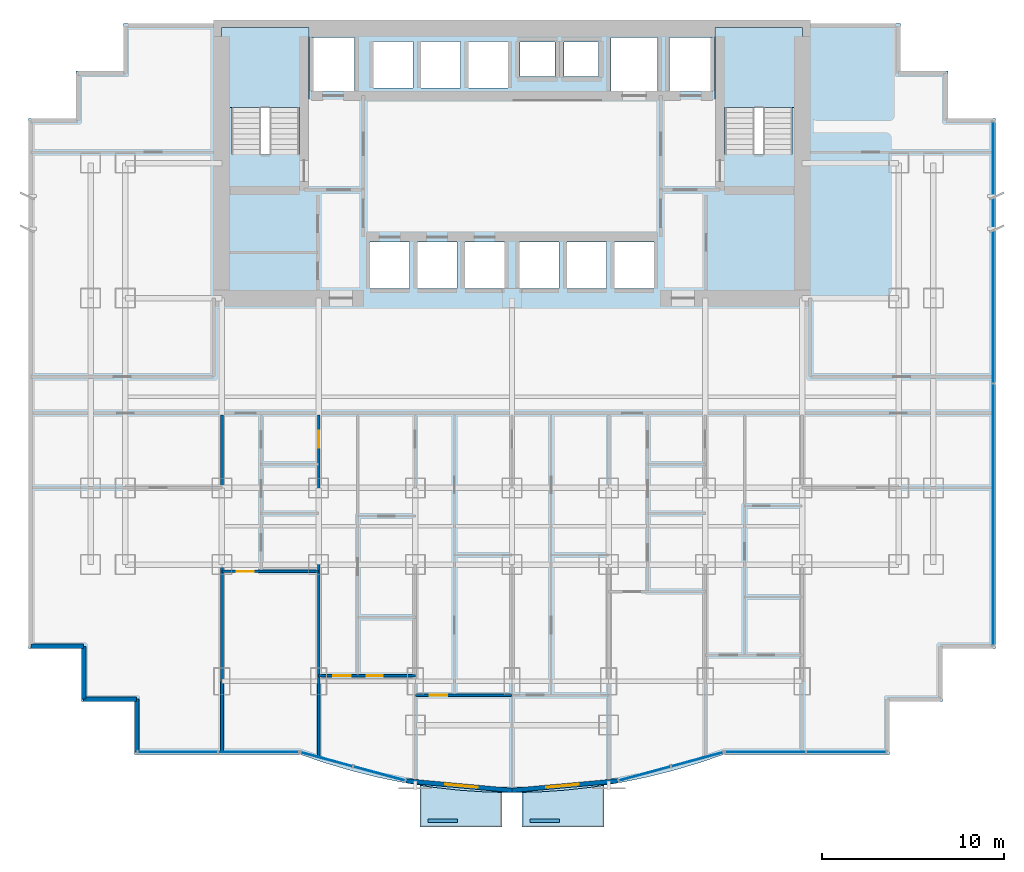
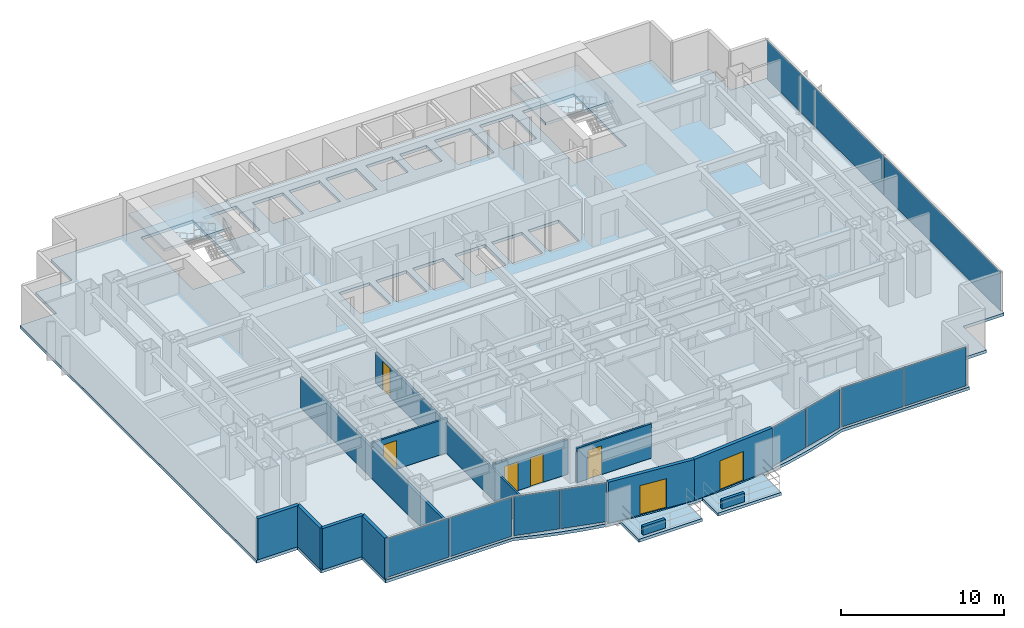
# One storey, part 6 of 12: 13 walls, 10 plates, 7 doors, 5 slabs, 7 openings, 7 elements without a shape of their own.
"""IFC4 building model written with IfcOpenShell, lengths in metres."""

from ifc_helpers import new_model, si_unit, direction, frame, frame_2d, origin, origin_2d, place, context, subcontext, project, spatial, polyline, rectangle, outline, extrude, source, transform, mapped, material, layer, layer_set, type_object, element, fill, aggregate, save


model = new_model("IFC4")

# Units and contexts
model_context = context("Model", 3, precision=1e-05, world=origin(), true_north=direction((0.0, 1.0)))
body_context = subcontext(model_context, "Body", "Model", "MODEL_VIEW")
ifc_project = project(units=[si_unit("LENGTHUNIT", "METRE"), si_unit("AREAUNIT", "SQUARE_METRE"), si_unit("VOLUMEUNIT", "CUBIC_METRE"), si_unit("PLANEANGLEUNIT", "RADIAN"), si_unit("MASSUNIT", "GRAM", prefix="KILO")], contexts=[model_context])

# Site, building, storey
site_placement = place(None, origin())
site = spatial("IfcSite", under=ifc_project, at=site_placement, CompositionType="ELEMENT")
building_placement = place(site_placement, origin())
building = spatial("IfcBuilding", under=site, at=building_placement, Name="Qianlan Lanfeng Residences", CompositionType="ELEMENT")
storey_placement = place(building_placement, frame((0.0, 0.0, 63.800048828125)))
storey = spatial("IfcBuildingStorey", under=building, at=storey_placement, Name="L17", CompositionType="ELEMENT", Elevation=63.800048828125)

# Slabs
ifc_material_1 = material(Name="Concrete C42", Category="concrete")
ifc_layer_1 = layer(ifc_material_1, 0.219970703125)
ifc_layer_set_1 = layer_set([ifc_layer_1], Name="Concrete C42")
slab_type_1 = type_object("IfcSlabType", Name="S-BAL-220", PredefinedType="FLOOR", material=ifc_layer_set_1)
slab_1_placement = place(storey_placement, frame((0.0, 0.0, -0.219970703125)))
element("IfcSlab", 1, at=slab_1_placement, inside=storey, type_object=slab_type_1, Name="L17 Planted Tree Balcony Slab SB-W", PredefinedType="FLOOR", context=body_context, shape_type="SweptSolid", body=[
    extrude(outline(polyline([(25.949951171875, -1.887939453125), (25.0439453125, -1.866943359375), (23.5869140625, -1.76904296875), (22.131103515625, -1.60498046875), (21.449951171875, -1.4970703125), (21.449951171875, -3.800048828125), (25.949951171875, -3.800048828125), (25.949951171875, -1.887939453125)])), origin(), (0.0, 0.0, 1.0), 0.219970703125),
])
slab_2_placement = place(storey_placement, frame((0.0, 0.0, -0.219970703125)))
element("IfcSlab", 2, at=slab_2_placement, inside=storey, type_object=slab_type_1, Name="L17 Planted Tree Balcony Slab SB-E", PredefinedType="FLOOR", context=body_context, shape_type="SweptSolid", body=[
    extrude(outline(polyline([(31.550048828125, -1.4970703125), (30.868896484375, -1.60498046875), (29.412109375, -1.76904296875), (27.9560546875, -1.866943359375), (27.050048828125, -1.887939453125), (27.050048828125, -3.800048828125), (31.550048828125, -3.800048828125), (31.550048828125, -1.4970703125)])), origin(), (0.0, 0.0, 1.0), 0.219970703125),
])
ifc_layer_2 = layer(ifc_material_1, 0.219970703125)
ifc_layer_set_2 = layer_set([ifc_layer_2], Name="Concrete C42")
slab_type_2 = type_object("IfcSlabType", Name="S-FL-220", PredefinedType="FLOOR", material=ifc_layer_set_2)
slab_3_placement = place(storey_placement, frame((0.0, 0.0, -0.219970703125)))
element("IfcSlab", 3, at=slab_3_placement, inside=storey, type_object=slab_type_2, Name="L17 Structural Floor Slab", PredefinedType="FLOOR", context=body_context, shape_type="SweptSolid", body=[
    extrude(outline(polyline([(0.0, 6.0), (2.89990234375, 6.0), (2.89990234375, 3.10009765625), (5.800048828125, 3.10009765625), (5.800048828125, 0.199951171875), (14.85009765625, 0.199951171875), (16.305908203125, -0.2919921875), (17.761962890625, -0.718994140625), (19.218994140625, -1.080078125), (20.675048828125, -1.375), (22.131103515625, -1.60498046875), (23.5869140625, -1.76904296875), (25.0439453125, -1.866943359375), (26.5, -1.89990234375), (27.9560546875, -1.866943359375), (29.412109375, -1.76904296875), (30.868896484375, -1.60498046875), (32.324951171875, -1.375), (33.781005859375, -1.080078125), (35.237060546875, -0.718994140625), (36.694091796875, -0.2919921875), (38.14990234375, 0.199951171875), (47.199951171875, 0.199951171875), (47.199951171875, 3.10009765625), (50.10009765625, 3.10009765625), (50.10009765625, 6.0), (53.0, 6.0), (53.0, 35.050048828125), (50.39990234375, 35.050048828125), (50.39990234375, 37.64990234375), (47.800048828125, 37.64990234375), (47.800048828125, 40.25), (5.199951171875, 40.25), (5.199951171875, 37.64990234375), (2.60009765625, 37.64990234375), (2.60009765625, 35.050048828125), (0.0, 35.050048828125), (0.0, 6.0)]), holes=[polyline([(11.139892578125, 33.080078125), (11.139892578125, 39.5), (14.820068359375, 39.5), (14.820068359375, 33.080078125), (11.139892578125, 33.080078125)]), polyline([(38.179931640625, 33.080078125), (38.179931640625, 39.5), (41.860107421875, 39.5), (41.860107421875, 33.080078125), (38.179931640625, 33.080078125)]), polyline([(15.52001953125, 36.52001953125), (15.52001953125, 39.47998046875), (17.8798828125, 39.47998046875), (17.8798828125, 36.52001953125), (15.52001953125, 36.52001953125)]), polyline([(35.1201171875, 36.52001953125), (35.1201171875, 39.47998046875), (37.47998046875, 39.47998046875), (37.47998046875, 36.52001953125), (35.1201171875, 36.52001953125)]), polyline([(31.919921875, 36.52001953125), (31.919921875, 39.47998046875), (34.47998046875, 39.47998046875), (34.47998046875, 36.52001953125), (31.919921875, 36.52001953125)]), polyline([(18.719970703125, 25.719970703125), (18.719970703125, 28.280029296875), (20.8798828125, 28.280029296875), (20.8798828125, 25.719970703125), (18.719970703125, 25.719970703125)]), polyline([(21.320068359375, 25.719970703125), (21.320068359375, 28.280029296875), (23.47998046875, 28.280029296875), (23.47998046875, 25.719970703125), (21.320068359375, 25.719970703125)]), polyline([(23.919921875, 25.719970703125), (23.919921875, 28.280029296875), (26.080078125, 28.280029296875), (26.080078125, 25.719970703125), (23.919921875, 25.719970703125)]), polyline([(26.919921875, 25.719970703125), (26.919921875, 28.280029296875), (29.080078125, 28.280029296875), (29.080078125, 25.719970703125), (26.919921875, 25.719970703125)]), polyline([(29.52001953125, 25.719970703125), (29.52001953125, 28.280029296875), (31.679931640625, 28.280029296875), (31.679931640625, 25.719970703125), (29.52001953125, 25.719970703125)]), polyline([(32.1201171875, 25.719970703125), (32.1201171875, 28.280029296875), (34.280029296875, 28.280029296875), (34.280029296875, 25.719970703125), (32.1201171875, 25.719970703125)]), polyline([(18.919921875, 36.719970703125), (18.919921875, 39.280029296875), (21.080078125, 39.280029296875), (21.080078125, 36.719970703125), (18.919921875, 36.719970703125)]), polyline([(21.52001953125, 36.719970703125), (21.52001953125, 39.280029296875), (23.679931640625, 39.280029296875), (23.679931640625, 36.719970703125), (21.52001953125, 36.719970703125)]), polyline([(24.1201171875, 36.719970703125), (24.1201171875, 39.280029296875), (26.280029296875, 39.280029296875), (26.280029296875, 36.719970703125), (24.1201171875, 36.719970703125)]), polyline([(26.949951171875, 37.35009765625), (26.949951171875, 39.25), (28.85009765625, 39.25), (28.85009765625, 37.35009765625), (26.949951171875, 37.35009765625)]), polyline([(29.35009765625, 37.35009765625), (29.35009765625, 39.25), (31.25, 39.25), (31.25, 37.35009765625), (29.35009765625, 37.35009765625)])]), origin(), (0.0, 0.0, 1.0), 0.219970703125),
])

# Stair, slab
stair_type = type_object("IfcStairType", Name="STR-MAIN", PredefinedType="HALF_TURN_STAIR", material=ifc_material_1)
stair_1_placement = place(storey_placement, origin())
stair_1 = element("IfcStair", 4, at=stair_1_placement, inside=storey, type_object=stair_type, Name="L17 Exit Stair ST-1", PredefinedType="HALF_TURN_STAIR")
ifc_layer_3 = layer(ifc_material_1, 0.179931640625)
ifc_layer_set_3 = layer_set([ifc_layer_3], Name="Concrete C42")
slab_type_3 = type_object("IfcSlabType", Name="S-LND-180", PredefinedType="LANDING", material=ifc_layer_set_3)
slab_4_placement = place(storey_placement, frame((0.0, 0.0, 1.449951171875)))
slab_4 = element("IfcSlab", 5, at=slab_4_placement, type_object=slab_type_3, Name="ST-1 landing 1", PredefinedType="LANDING", context=body_context, shape_type="SweptSolid", body=[
    extrude(outline(polyline([(10.580078125, 35.659912109375), (15.3798828125, 35.659912109375), (15.3798828125, 40.050048828125), (10.580078125, 40.050048828125), (10.580078125, 35.659912109375)])), origin(), (0.0, 0.0, 1.0), 0.199951171875),
])
aggregate(stair_1, [slab_4])

stair_2_placement = place(storey_placement, origin())
stair_2 = element("IfcStair", 6, at=stair_2_placement, inside=storey, type_object=stair_type, Name="L17 Exit Stair ST-2", PredefinedType="HALF_TURN_STAIR")
slab_5_placement = place(storey_placement, frame((0.0, 0.0, 1.449951171875)))
slab_5 = element("IfcSlab", 7, at=slab_5_placement, type_object=slab_type_3, Name="ST-2 landing 1", PredefinedType="LANDING", context=body_context, shape_type="SweptSolid", body=[
    extrude(outline(polyline([(37.6201171875, 35.659912109375), (42.419921875, 35.659912109375), (42.419921875, 40.050048828125), (37.6201171875, 40.050048828125), (37.6201171875, 35.659912109375)])), origin(), (0.0, 0.0, 1.0), 0.199951171875),
])
aggregate(stair_2, [slab_5])

# Curtain wall, plate
ifc_material_2 = material(Name="Anodised Bronze Aluminium 6063-T6", Category="aluminium")
ifc_layer_4 = layer(ifc_material_2, 0.219970703125)
ifc_layer_set_4 = layer_set([ifc_layer_4], Name="Anodised Bronze Aluminium 6063-T6")
curtain_wall_type = type_object("IfcCurtainWallType", Name="CW-02", PredefinedType="NOTDEFINED", material=ifc_layer_set_4)
curtain_wall_1_placement = place(storey_placement, origin())
curtain_wall_1 = element("IfcCurtainWall", 8, at=curtain_wall_1_placement, inside=storey, type_object=curtain_wall_type, Name="L17 Unitised Curtain Wall CWR-L17-02 (CW-02)", PredefinedType="NOTDEFINED")
ifc_material_3 = material(Name="Dark Bronze Tinted Insulated Glass", Category="glass")
ifc_layer_5 = layer(ifc_material_3, 0.0380859375)
ifc_layer_set_5 = layer_set([ifc_layer_5], Name="Dark Bronze Tinted Insulated Glass")
plate_type_1 = type_object("IfcPlateType", Name="PNL-GLZ-BRZ", PredefinedType="CURTAIN_PANEL", material=ifc_layer_set_5)
shared_shape_1 = source(origin(), body_context, "Body", "SweptSolid", [
    extrude(rectangle(XDim=2.89990234375, YDim=0.0380859375, at=origin_2d()), origin(), (0.0, 0.0, 1.0), 2.922119140625),
])
plate_1_placement = place(storey_placement, frame((16.345703125, -0.07958984375, 0.0791015625), z_axis=(0.0, 0.0, 1.0), x_axis=(0.9652627173, -0.261281240412, 0.0)))
plate_1 = element("IfcPlate", 9, at=plate_1_placement, type_object=plate_type_1, Name="CWR-L17-02 Curtain Panel 1", PredefinedType="CURTAIN_PANEL", context=body_context, shape_type="MappedRepresentation", body=[
    mapped(shared_shape_1, transform((0.0, 0.0, 0.0), scale=1.0)),
])

# Curtain wall, plates
curtain_wall_2_placement = place(storey_placement, origin())
curtain_wall_2 = element("IfcCurtainWall", 10, at=curtain_wall_2_placement, inside=storey, type_object=curtain_wall_type, Name="L17 Unitised Curtain Wall CWR-L17-03 (CW-02)", PredefinedType="NOTDEFINED")
plate_2_placement = place(storey_placement, frame((33.77978515625, -0.857421875, 0.0791015625), z_axis=(0.0, 0.0, 1.0), x_axis=(0.9652627173, 0.261281240412, 0.0)))
plate_2 = element("IfcPlate", 11, at=plate_2_placement, type_object=plate_type_1, Name="CWR-L17-03 Curtain Panel 1", PredefinedType="CURTAIN_PANEL", context=body_context, shape_type="MappedRepresentation", body=[
    mapped(shared_shape_1, transform((0.0, 0.0, 0.0), scale=1.0)),
])
plate_3_placement = place(storey_placement, frame((36.654296875, -0.07958984375, 0.0791015625), z_axis=(0.0, 0.0, 1.0), x_axis=(0.9652627173, 0.261281240412, 0.0)))
plate_3 = element("IfcPlate", 12, at=plate_3_placement, type_object=plate_type_1, Name="CWR-L17-03 Curtain Panel 2", PredefinedType="CURTAIN_PANEL", context=body_context, shape_type="MappedRepresentation", body=[
    mapped(shared_shape_1, transform((0.0, 0.0, 0.0), scale=1.0)),
])
aggregate(curtain_wall_2, [plate_2, plate_3])

# Plate
ifc_material_4 = material(Name="Perforated Anodised Bronze Aluminium Panel", Category="aluminium")
ifc_layer_6 = layer(ifc_material_4, 0.0419921875)
ifc_layer_set_6 = layer_set([ifc_layer_6], Name="Perforated Anodised Bronze Aluminium Panel")
plate_type_2 = type_object("IfcPlateType", Name="PNL-PRF-BRZ", PredefinedType="CURTAIN_PANEL", material=ifc_layer_set_6)
shared_shape_2 = source(origin(), body_context, "Body", "SweptSolid", [
    extrude(rectangle(XDim=2.89990234375, YDim=0.0419921875, at=origin_2d()), origin(), (0.0, 0.0, 1.0), 2.922119140625),
])
plate_4_placement = place(storey_placement, frame((19.22021484375, -0.857421875, 0.0791015625), z_axis=(0.0, 0.0, 1.0), x_axis=(0.9652627173, -0.261281240412, 0.0)))
plate_4 = element("IfcPlate", 13, at=plate_4_placement, type_object=plate_type_2, Name="CWR-L17-02 Curtain Panel 2", PredefinedType="CURTAIN_PANEL", context=body_context, shape_type="MappedRepresentation", body=[
    mapped(shared_shape_2, transform((0.0, 0.0, 0.0), scale=1.0)),
])

aggregate(curtain_wall_1, [plate_1, plate_4])

# Curtain wall, plates
curtain_wall_3_placement = place(storey_placement, origin())
curtain_wall_3 = element("IfcCurtainWall", 14, at=curtain_wall_3_placement, inside=storey, type_object=curtain_wall_type, Name="L17 Unitised Curtain Wall CWR-L17-01 (CW-02)", PredefinedType="NOTDEFINED")
shared_shape_3 = source(origin(), body_context, "Body", "SweptSolid", [
    extrude(rectangle(XDim=4.35693359375, YDim=0.0380859375, at=origin_2d()), origin(), (0.0, 0.0, 1.0), 2.922119140625),
])
plate_5_placement = place(storey_placement, frame((8.177490234375, 0.320068359375, 0.0791015625), z_axis=(0.0, 0.0, 1.0), x_axis=(1.0, 0.0, 0.0)))
plate_5 = element("IfcPlate", 15, at=plate_5_placement, type_object=plate_type_1, Name="CWR-L17-01 Curtain Panel 1", PredefinedType="CURTAIN_PANEL", context=body_context, shape_type="MappedRepresentation", body=[
    mapped(shared_shape_3, transform((0.0, 0.0, 0.0), scale=1.0)),
])
plate_6_placement = place(storey_placement, frame((12.612548828125, 0.320068359375, 0.0791015625), z_axis=(0.0, 0.0, 1.0), x_axis=(1.0, 0.0, 0.0)))
plate_6 = element("IfcPlate", 16, at=plate_6_placement, type_object=plate_type_1, Name="CWR-L17-01 Curtain Panel 2", PredefinedType="CURTAIN_PANEL", context=body_context, shape_type="MappedRepresentation", body=[
    mapped(shared_shape_3, transform((0.0, 0.0, 0.0), scale=1.0)),
])
aggregate(curtain_wall_3, [plate_5, plate_6])

curtain_wall_4_placement = place(storey_placement, origin())
curtain_wall_4 = element("IfcCurtainWall", 17, at=curtain_wall_4_placement, inside=storey, type_object=curtain_wall_type, Name="L17 Unitised Curtain Wall CWR-L17-04 (CW-02)", PredefinedType="NOTDEFINED")
plate_7_placement = place(storey_placement, frame((40.387451171875, 0.320068359375, 0.0791015625), z_axis=(0.0, 0.0, 1.0), x_axis=(1.0, 0.0, 0.0)))
plate_7 = element("IfcPlate", 18, at=plate_7_placement, type_object=plate_type_1, Name="CWR-L17-04 Curtain Panel 1", PredefinedType="CURTAIN_PANEL", context=body_context, shape_type="MappedRepresentation", body=[
    mapped(shared_shape_3, transform((0.0, 0.0, 0.0), scale=1.0)),
])
shared_shape_4 = source(origin(), body_context, "Body", "SweptSolid", [
    extrude(rectangle(XDim=4.35693359375, YDim=0.0419921875, at=origin_2d()), origin(), (0.0, 0.0, 1.0), 2.922119140625),
])
plate_8_placement = place(storey_placement, frame((44.822509765625, 0.320068359375, 0.0791015625), z_axis=(0.0, 0.0, 1.0), x_axis=(1.0, 0.0, 0.0)))
plate_8 = element("IfcPlate", 19, at=plate_8_placement, type_object=plate_type_2, Name="CWR-L17-04 Curtain Panel 2", PredefinedType="CURTAIN_PANEL", context=body_context, shape_type="MappedRepresentation", body=[
    mapped(shared_shape_4, transform((0.0, 0.0, 0.0), scale=1.0)),
])
aggregate(curtain_wall_4, [plate_7, plate_8])

curtain_wall_5_placement = place(storey_placement, origin())
curtain_wall_5 = element("IfcCurtainWall", 20, at=curtain_wall_5_placement, inside=storey, type_object=curtain_wall_type, Name="L17 Unitised Curtain Wall CWR-L17-05 (CW-02)", PredefinedType="NOTDEFINED")
shared_shape_5 = source(origin(), body_context, "Body", "SweptSolid", [
    extrude(rectangle(XDim=14.287109375, YDim=0.0380859375, at=origin_2d()), origin(), (0.0, 0.0, 1.0), 2.922119140625),
])
plate_9_placement = place(storey_placement, frame((52.8798828125, 13.342529296875, 0.0791015625), z_axis=(0.0, 0.0, 1.0), x_axis=(0.0, 1.0, 0.0)))
plate_9 = element("IfcPlate", 21, at=plate_9_placement, type_object=plate_type_1, Name="CWR-L17-05 Curtain Panel 1", PredefinedType="CURTAIN_PANEL", context=body_context, shape_type="MappedRepresentation", body=[
    mapped(shared_shape_5, transform((0.0, 0.0, 0.0), scale=1.0)),
])
plate_10_placement = place(storey_placement, frame((52.8798828125, 27.70751953125, 0.0791015625), z_axis=(0.0, 0.0, 1.0), x_axis=(0.0, 1.0, 0.0)))
plate_10 = element("IfcPlate", 22, at=plate_10_placement, type_object=plate_type_1, Name="CWR-L17-05 Curtain Panel 2", PredefinedType="CURTAIN_PANEL", context=body_context, shape_type="MappedRepresentation", body=[
    mapped(shared_shape_5, transform((0.0, 0.0, 0.0), scale=1.0)),
])
aggregate(curtain_wall_5, [plate_9, plate_10])

# Walls
ifc_layer_7 = layer(ifc_material_1, 0.239990234375)
ifc_layer_set_7 = layer_set([ifc_layer_7], Name="Concrete C42")
wall_type_1 = type_object("IfcWallType", Name="EW-240", PredefinedType="SOLIDWALL", material=ifc_layer_set_7)
wall_1_placement = place(storey_placement, frame((0.1201171875, 6.1201171875, 0.0), z_axis=(0.0, 0.0, 1.0), x_axis=(1.0, 0.0, 0.0)))
element("IfcWall", 23, at=wall_1_placement, inside=storey, type_object=wall_type_1, Name="L17 Exterior Facade Spandrel Wall 1", PredefinedType="SOLIDWALL", context=body_context, shape_type="SweptSolid", body=[
    extrude(rectangle(XDim=2.89990234375, YDim=0.239990234375, at=frame_2d((1.449951171875, 0.0))), origin(), (0.0, 0.0, 1.0), 3.079833984375),
])
wall_2_placement = place(storey_placement, frame((3.02001953125, 6.1201171875, 0.0), z_axis=(0.0, 0.0, 1.0), x_axis=(0.0, -1.0, 0.0)))
element("IfcWall", 24, at=wall_2_placement, inside=storey, type_object=wall_type_1, Name="L17 Exterior Facade Spandrel Wall 2", PredefinedType="SOLIDWALL", context=body_context, shape_type="SweptSolid", body=[
    extrude(rectangle(XDim=2.900146484375, YDim=0.239990234375, at=frame_2d((1.4501953125, 0.0))), origin(), (0.0, 0.0, 1.0), 3.079833984375),
])
for number, where, z_axis, x_axis, name in (
    (25, (3.02001953125, 3.219970703125, 0.0), (0.0, 0.0, 1.0), (1.0, 0.0, 0.0), "L17 Exterior Facade Spandrel Wall 3"),
    (26, (5.919921875, 3.219970703125, 0.0), (0.0, 0.0, 1.0), (0.0, -1.0, 0.0), "L17 Exterior Facade Spandrel Wall 4"),
):
    element("IfcWall", number, at=place(storey_placement, frame(where, z_axis=z_axis, x_axis=x_axis)), inside=storey, type_object=wall_type_1, Name=name, PredefinedType="SOLIDWALL", context=body_context, shape_type="SweptSolid", body=[
        extrude(rectangle(XDim=2.89990234375, YDim=0.239990234375, at=frame_2d((1.449951171875, 0.0))), origin(), (0.0, 0.0, 1.0), 3.079833984375),
    ])

# Wall, opening, door
wall_3_placement = place(storey_placement, frame((20.696044921875, -1.257080078125, 0.0), z_axis=(0.0, 0.0, 1.0), x_axis=(0.995965344947, -0.089738685436, 0.0)))
wall_3 = element("IfcWall", 27, at=wall_3_placement, inside=storey, type_object=wall_type_1, Name="L17 Terrace/Balcony Access Exterior Wall 5", PredefinedType="SOLIDWALL", context=body_context, shape_type="SweptSolid", body=[
    extrude(rectangle(XDim=5.827392578125, YDim=0.239990234375, at=frame_2d((2.91357421875, 0.0))), origin(), (0.0, 0.0, 1.0), 3.079833984375),
])
opening_1_placement = place(wall_3_placement, frame((2.14794921875, 0.0, 0.0)))
opening_1 = element("IfcOpeningElement", 28, at=opening_1_placement, cuts=wall_3, Name="Opening L17-D-SB-W", PredefinedType="OPENING", context=body_context, shape_type="SweptSolid", body=[
    extrude(rectangle(XDim=1.800048828125, YDim=2.199951171875, at=frame_2d((0.89990234375, 1.10009765625))), frame((0.0, 0.1298828125, 0.0), z_axis=(0.0, -1.0, 0.0), x_axis=(1.0, 0.0, 0.0)), (0.0, 0.0, 1.0), 0.260009765625),
])
ifc_material_5 = material(Name="Anodised Bronze Aluminium Framed Glass", Category="aluminium")
door_type_1 = type_object("IfcDoorType", Name="DT-BAL1", OperationType="NOTDEFINED", PredefinedType="DOOR", material=ifc_material_5)
door_1_placement = place(opening_1_placement, frame((1.800048828125, 0.0, 0.0), z_axis=(0.0, 0.0, 1.0), x_axis=(-1.0, 0.0, 0.0)))
door_1 = element("IfcDoor", 29, at=door_1_placement, inside=storey, type_object=door_type_1, Name="L17 Exterior Access Door SB-W", OperationType="DOUBLE_DOOR_SLIDING", OverallHeight=2.199951171875, OverallWidth=1.800048828125, PredefinedType="DOOR", context=body_context, shape_type="SweptSolid", body=[
    extrude(rectangle(XDim=1.800048828125, YDim=2.199951171875, at=frame_2d((0.89990234375, 1.10009765625))), frame((0.0, 0.02490234375, 0.0), z_axis=(0.0, -1.0, 0.0), x_axis=(1.0, 0.0, 0.0)), (0.0, 0.0, 1.0), 0.050048828125),
])
fill(opening_1, door_1)

wall_4_placement = place(storey_placement, frame((26.5, -1.780029296875, 0.0), z_axis=(0.0, 0.0, 1.0), x_axis=(0.995965344947, 0.089738685436, 0.0)))
wall_4 = element("IfcWall", 30, at=wall_4_placement, inside=storey, type_object=wall_type_1, Name="L17 Terrace/Balcony Access Exterior Wall 6", PredefinedType="SOLIDWALL", context=body_context, shape_type="SweptSolid", body=[
    extrude(rectangle(XDim=5.827392578125, YDim=0.239990234375, at=frame_2d((2.91357421875, 0.0))), origin(), (0.0, 0.0, 1.0), 3.079833984375),
])
opening_2_placement = place(wall_4_placement, frame((1.8798828125, 0.0, 0.0)))
opening_2 = element("IfcOpeningElement", 31, at=opening_2_placement, cuts=wall_4, Name="Opening L17-D-SB-E", PredefinedType="OPENING", context=body_context, shape_type="SweptSolid", body=[
    extrude(rectangle(XDim=1.800048828125, YDim=2.199951171875, at=frame_2d((0.89990234375, 1.10009765625))), frame((0.0, 0.1298828125, 0.0), z_axis=(0.0, -1.0, 0.0), x_axis=(1.0, 0.0, 0.0)), (0.0, 0.0, 1.0), 0.260009765625),
])
door_2_placement = place(opening_2_placement, frame((1.800048828125, 0.0, 0.0), z_axis=(0.0, 0.0, 1.0), x_axis=(-1.0, 0.0, 0.0)))
door_2 = element("IfcDoor", 32, at=door_2_placement, inside=storey, type_object=door_type_1, Name="L17 Exterior Access Door SB-E", OperationType="DOUBLE_DOOR_SLIDING", OverallHeight=2.199951171875, OverallWidth=1.800048828125, PredefinedType="DOOR", context=body_context, shape_type="SweptSolid", body=[
    extrude(rectangle(XDim=1.800048828125, YDim=2.199951171875, at=frame_2d((0.89990234375, 1.10009765625))), frame((0.0, 0.02490234375, 0.0), z_axis=(0.0, -1.0, 0.0), x_axis=(1.0, 0.0, 0.0)), (0.0, 0.0, 1.0), 0.050048828125),
])
fill(opening_2, door_2)

# Walls
ifc_layer_8 = layer(ifc_material_1, 0.199951171875)
ifc_layer_set_8 = layer_set([ifc_layer_8], Name="Concrete C42")
wall_type_2 = type_object("IfcWallType", Name="PL-TREE-200", PredefinedType="PARAPET", material=ifc_layer_set_8)
for number, where, z_axis, x_axis, name in (
    (33, (21.89990234375, -3.449951171875, 0.0), (0.0, 0.0, 1.0), (1.0, 0.0, 0.0), "L17 Balcony Tree Planter Curb SB-W"),
    (34, (27.5, -3.449951171875, 0.0), (0.0, 0.0, 1.0), (1.0, 0.0, 0.0), "L17 Balcony Tree Planter Curb SB-E"),
):
    element("IfcWall", number, at=place(storey_placement, frame(where, z_axis=z_axis, x_axis=x_axis)), inside=storey, type_object=wall_type_2, Name=name, PredefinedType="PARAPET", context=body_context, shape_type="SweptSolid", body=[
        extrude(rectangle(XDim=1.60009765625, YDim=0.199951171875, at=frame_2d((0.800048828125, 0.0))), origin(), (0.0, 0.0, 1.0), 0.64990234375),
    ])

# Wall, opening, door
ifc_material_6 = material(Name="Moisture-Resistant Gypsum Partition 135 mm")
ifc_layer_9 = layer(ifc_material_6, 0.135009765625)
ifc_layer_set_9 = layer_set([ifc_layer_9], Name="Moisture-Resistant Gypsum Partition 135 mm")
wall_type_3 = type_object("IfcWallType", Name="PW-135", PredefinedType="PARTITIONING", material=ifc_layer_set_9)
wall_5_placement = place(storey_placement, frame((15.89990234375, 0.076904296875, 0.0), z_axis=(0.0, 0.0, 1.0), x_axis=(0.0, 1.0, 0.0)))
wall_5 = element("IfcWall", 35, at=wall_5_placement, inside=storey, type_object=wall_type_3, Name="L17 U01 Bay Spine Wall 1", PredefinedType="PARTITIONING", context=body_context, shape_type="SweptSolid", body=[
    extrude(rectangle(XDim=18.72314453125, YDim=0.135009765625, at=frame_2d((9.361572265625, 0.0))), origin(), (0.0, 0.0, 1.0), 2.27490234375),
])
opening_3_placement = place(wall_5_placement, frame((16.93798828125, 0.0, 0.0)))
opening_3 = element("IfcOpeningElement", 36, at=opening_3_placement, cuts=wall_5, Name="Opening L17-D15", PredefinedType="OPENING", context=body_context, shape_type="SweptSolid", body=[
    extrude(rectangle(XDim=0.919921875, YDim=2.14990234375, at=frame_2d((0.4599609375, 1.074951171875))), frame((0.0, 0.07763671875, 0.0), z_axis=(0.0, -1.0, 0.0), x_axis=(1.0, 0.0, 0.0)), (0.0, 0.0, 1.0), 0.155029296875),
])
ifc_material_7 = material(Name="Glazed Timber Kitchen/Study Door", Category="wood")
door_type_2 = type_object("IfcDoorType", Name="DT-INT", OperationType="NOTDEFINED", PredefinedType="DOOR", material=ifc_material_7)
door_3_placement = place(opening_3_placement, origin())
door_3 = element("IfcDoor", 37, at=door_3_placement, inside=storey, type_object=door_type_2, Name="L17 U01 Internal Hall Door L17-D15 (DT-INT)", OperationType="SINGLE_SWING_RIGHT", OverallHeight=2.14990234375, OverallWidth=0.919921875, PredefinedType="DOOR", context=body_context, shape_type="SweptSolid", body=[
    extrude(rectangle(XDim=0.919921875, YDim=2.14990234375, at=frame_2d((0.4599609375, 1.074951171875))), frame((0.0, 0.02490234375, 0.0), z_axis=(0.0, -1.0, 0.0), x_axis=(1.0, 0.0, 0.0)), (0.0, 0.0, 1.0), 0.050048828125),
])
fill(opening_3, door_3)

wall_6_placement = place(storey_placement, frame((10.60009765625, 10.219970703125, 0.0), z_axis=(0.0, 0.0, 1.0), x_axis=(1.0, 0.0, 0.0)))
wall_6 = element("IfcWall", 38, at=wall_6_placement, inside=storey, type_object=wall_type_3, Name="L17 U01 Living Divider", PredefinedType="PARTITIONING", context=body_context, shape_type="SweptSolid", body=[
    extrude(rectangle(XDim=5.2998046875, YDim=0.135009765625, at=frame_2d((2.64990234375, 0.0))), origin(), (0.0, 0.0, 1.0), 2.570068359375),
])
opening_4_placement = place(wall_6_placement, frame((0.81494140625, 0.0, 0.0)))
opening_4 = element("IfcOpeningElement", 39, at=opening_4_placement, cuts=wall_6, Name="Opening L17-D18", PredefinedType="OPENING", context=body_context, shape_type="SweptSolid", body=[
    extrude(rectangle(XDim=0.919921875, YDim=2.14990234375, at=frame_2d((0.4599609375, 1.074951171875))), frame((0.0, 0.07763671875, 0.0), z_axis=(0.0, -1.0, 0.0), x_axis=(1.0, 0.0, 0.0)), (0.0, 0.0, 1.0), 0.155029296875),
])
door_4_placement = place(opening_4_placement, frame((0.919921875, 0.0, 0.0), z_axis=(0.0, 0.0, 1.0), x_axis=(-1.0, 0.0, 0.0)))
door_4 = element("IfcDoor", 40, at=door_4_placement, inside=storey, type_object=door_type_2, Name="L17 U01 Living Passage Door L17-D18 (DT-INT)", OperationType="SINGLE_SWING_LEFT", OverallHeight=2.14990234375, OverallWidth=0.919921875, PredefinedType="DOOR", context=body_context, shape_type="SweptSolid", body=[
    extrude(rectangle(XDim=0.919921875, YDim=2.14990234375, at=frame_2d((0.4599609375, 1.074951171875))), frame((0.0, 0.02490234375, 0.0), z_axis=(0.0, -1.0, 0.0), x_axis=(1.0, 0.0, 0.0)), (0.0, 0.0, 1.0), 0.050048828125),
])
fill(opening_4, door_4)

# Wall, openings, doors
wall_7_placement = place(storey_placement, frame((15.89990234375, 4.511962890625, 0.0), z_axis=(0.0, 0.0, 1.0), x_axis=(1.0, 0.0, 0.0)))
wall_7 = element("IfcWall", 41, at=wall_7_placement, inside=storey, type_object=wall_type_3, Name="L17 U01 Master Bedroom North Wall", PredefinedType="PARTITIONING", context=body_context, shape_type="SweptSolid", body=[
    extrude(rectangle(XDim=5.300048828125, YDim=0.135009765625, at=frame_2d((2.64990234375, 0.0))), origin(), (0.0, 0.0, 1.0), 2.570068359375),
])
opening_5_placement = place(wall_7_placement, frame((0.800048828125, 0.0, 0.0)))
opening_5 = element("IfcOpeningElement", 42, at=opening_5_placement, cuts=wall_7, Name="Opening L17-D22", PredefinedType="OPENING", context=body_context, shape_type="SweptSolid", body=[
    extrude(rectangle(XDim=0.949951171875, YDim=2.14990234375, at=frame_2d((0.47509765625, 1.074951171875))), frame((0.0, 0.07763671875, 0.0), z_axis=(0.0, -1.0, 0.0), x_axis=(1.0, 0.0, 0.0)), (0.0, 0.0, 1.0), 0.155029296875),
])
opening_6_placement = place(wall_7_placement, frame((2.625, 0.0, 0.0)))
opening_6 = element("IfcOpeningElement", 43, at=opening_6_placement, cuts=wall_7, Name="Opening L17-D23", PredefinedType="OPENING", context=body_context, shape_type="SweptSolid", body=[
    extrude(rectangle(XDim=0.89990234375, YDim=2.14990234375, at=frame_2d((0.449951171875, 1.074951171875))), frame((0.0, 0.07763671875, 0.0), z_axis=(0.0, -1.0, 0.0), x_axis=(1.0, 0.0, 0.0)), (0.0, 0.0, 1.0), 0.155029296875),
])
ifc_material_8 = material(Name="Painted Solid-Core Timber Leaf", Category="wood")
door_type_3 = type_object("IfcDoorType", Name="DT-BED", OperationType="NOTDEFINED", PredefinedType="DOOR", material=ifc_material_8)
door_5_placement = place(opening_5_placement, origin())
door_5 = element("IfcDoor", 44, at=door_5_placement, inside=storey, type_object=door_type_3, Name="L17 U01 Master Bedroom Door L17-D22 (DT-BED)", OperationType="SINGLE_SWING_RIGHT", OverallHeight=2.14990234375, OverallWidth=0.949951171875, PredefinedType="DOOR", context=body_context, shape_type="SweptSolid", body=[
    extrude(rectangle(XDim=0.949951171875, YDim=2.14990234375, at=frame_2d((0.47509765625, 1.074951171875))), frame((0.0, 0.02490234375, 0.0), z_axis=(0.0, -1.0, 0.0), x_axis=(1.0, 0.0, 0.0)), (0.0, 0.0, 1.0), 0.050048828125),
])
fill(opening_5, door_5)
ifc_material_9 = material(Name="Moisture-Resistant Timber Leaf", Category="wood")
door_type_4 = type_object("IfcDoorType", Name="DT-WC", OperationType="NOTDEFINED", PredefinedType="DOOR", material=ifc_material_9)
door_6_placement = place(opening_6_placement, origin())
door_6 = element("IfcDoor", 45, at=door_6_placement, inside=storey, type_object=door_type_4, Name="L17 U01 En-Suite Bathroom Door L17-D23 (DT-WC)", OperationType="SINGLE_SWING_RIGHT", OverallHeight=2.14990234375, OverallWidth=0.89990234375, PredefinedType="DOOR", context=body_context, shape_type="SweptSolid", body=[
    extrude(rectangle(XDim=0.89990234375, YDim=2.14990234375, at=frame_2d((0.449951171875, 1.074951171875))), frame((0.0, 0.02490234375, 0.0), z_axis=(0.0, -1.0, 0.0), x_axis=(1.0, 0.0, 0.0)), (0.0, 0.0, 1.0), 0.050048828125),
])
fill(opening_6, door_6)

# Wall, opening, door
wall_8_placement = place(storey_placement, frame((21.199951171875, 3.43408203125, 0.0), z_axis=(0.0, 0.0, 1.0), x_axis=(1.0, 0.0, 0.0)))
wall_8 = element("IfcWall", 46, at=wall_8_placement, inside=storey, type_object=wall_type_3, Name="L17 U01 Bedroom 2 North Wall", PredefinedType="PARTITIONING", context=body_context, shape_type="SweptSolid", body=[
    extrude(rectangle(XDim=5.300048828125, YDim=0.135009765625, at=frame_2d((2.64990234375, 0.0))), origin(), (0.0, 0.0, 1.0), 2.570068359375),
])
opening_7_placement = place(wall_8_placement, frame((0.800048828125, 0.0, 0.0)))
opening_7 = element("IfcOpeningElement", 47, at=opening_7_placement, cuts=wall_8, Name="Opening L17-D26", PredefinedType="OPENING", context=body_context, shape_type="SweptSolid", body=[
    extrude(rectangle(XDim=0.949951171875, YDim=2.14990234375, at=frame_2d((0.47509765625, 1.074951171875))), frame((0.0, 0.07763671875, 0.0), z_axis=(0.0, -1.0, 0.0), x_axis=(1.0, 0.0, 0.0)), (0.0, 0.0, 1.0), 0.155029296875),
])
door_7_placement = place(opening_7_placement, frame((0.949951171875, 0.0, 0.0), z_axis=(0.0, 0.0, 1.0), x_axis=(-1.0, 0.0, 0.0)))
door_7 = element("IfcDoor", 48, at=door_7_placement, inside=storey, type_object=door_type_3, Name="L17 U01 Bedroom 2 Door L17-D26 (DT-BED)", OperationType="SINGLE_SWING_LEFT", OverallHeight=2.14990234375, OverallWidth=0.949951171875, PredefinedType="DOOR", context=body_context, shape_type="SweptSolid", body=[
    extrude(rectangle(XDim=0.949951171875, YDim=2.14990234375, at=frame_2d((0.47509765625, 1.074951171875))), frame((0.0, 0.02490234375, 0.0), z_axis=(0.0, -1.0, 0.0), x_axis=(1.0, 0.0, 0.0)), (0.0, 0.0, 1.0), 0.050048828125),
])
fill(opening_7, door_7)

# Wall
ifc_material_10 = material(Name="Double-Layer Acoustic Gypsum Stud Wall 180 mm")
ifc_layer_10 = layer(ifc_material_10, 0.179931640625)
ifc_layer_set_10 = layer_set([ifc_layer_10], Name="Double-Layer Acoustic Gypsum Stud Wall 180 mm")
wall_type_4 = type_object("IfcWallType", Name="PW-180", PredefinedType="PARTITIONING", material=ifc_layer_set_10)
wall_9_placement = place(storey_placement, frame((10.60009765625, 0.419921875, 0.0), z_axis=(0.0, 0.0, 1.0), x_axis=(0.0, 1.0, 0.0)))
element("IfcWall", 49, at=wall_9_placement, inside=storey, type_object=wall_type_4, Name="L17 Wing Boundary Party Wall W0", PredefinedType="PARTITIONING", context=body_context, shape_type="SweptSolid", body=[
    extrude(rectangle(XDim=18.380126953125, YDim=0.179931640625, at=frame_2d((9.18994140625, 0.0))), origin(), (0.0, 0.0, 1.0), 2.27490234375),
])

save(model, "model.ifc")
